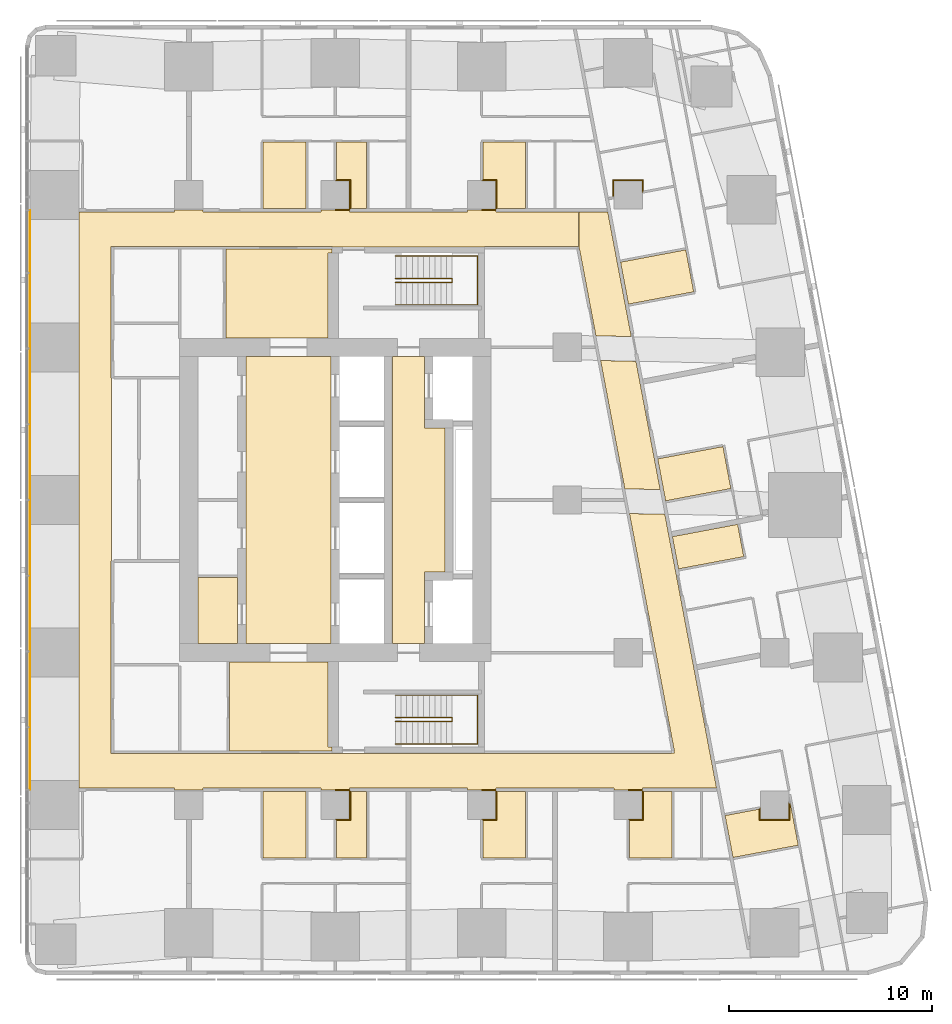
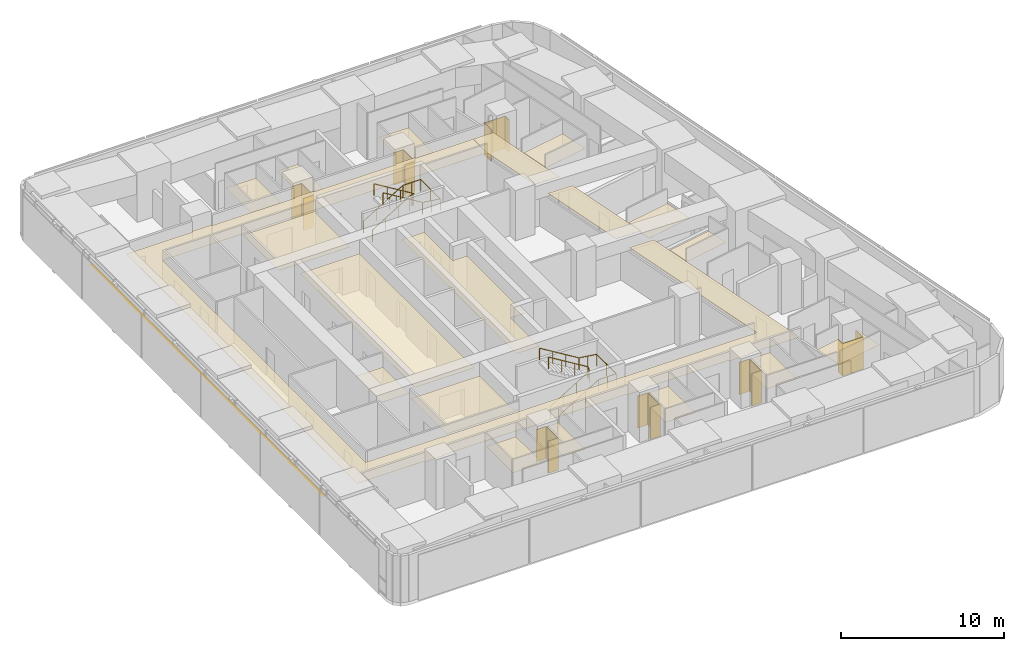
# One storey, part 19 of 19: 27 coverings, 4 railings.
"""IFC4 building model written with IfcOpenShell, lengths in metres."""

from ifc_helpers import new_model, si_unit, direction, frame, origin, origin_2d, place, context, subcontext, project, spatial, polyline, circle, outline, extrude, material, layer, layer_set, type_object, element, save


model = new_model("IFC4")

# Units and contexts
model_context = context("Model", 3, precision=1e-05, world=origin(), true_north=direction((0.0, 1.0)))
body_context = subcontext(model_context, "Body", "Model", "MODEL_VIEW")
ifc_project = project(units=[si_unit("LENGTHUNIT", "METRE"), si_unit("AREAUNIT", "SQUARE_METRE"), si_unit("VOLUMEUNIT", "CUBIC_METRE"), si_unit("PLANEANGLEUNIT", "RADIAN"), si_unit("MASSUNIT", "GRAM", prefix="KILO")], contexts=[model_context])

# Site, building, storey
site_placement = place(None, origin())
site = spatial("IfcSite", under=ifc_project, at=site_placement, CompositionType="ELEMENT")
building_placement = place(site_placement, origin())
building = spatial("IfcBuilding", under=site, at=building_placement, Name="Sheger Commons Tower", CompositionType="ELEMENT")
storey_placement = place(building_placement, frame((0.0, 0.0, 216.199951171875)))
storey = spatial("IfcBuildingStorey", under=building, at=storey_placement, Name="L55", CompositionType="ELEMENT", Elevation=216.199951171875)

# Railings
ifc_material_1 = material(Name="Steel handrail, black powder-coated", Category="steel")
railing_type = type_object("IfcRailingType", Name="HANDRAIL 900", PredefinedType="HANDRAIL", material=ifc_material_1)
railing_1_placement = place(storey_placement, frame((24.550048828125, 11.60009765625, 0.17041015625)))
element("IfcRailing", 1, at=railing_1_placement, inside=storey, type_object=railing_type, Name="Stair S1 handrail L55", PredefinedType="HANDRAIL", context=body_context, shape_type="SweptSolid", body=[
    extrude(circle(Radius=0.02392578125, at=origin_2d()), frame((0.0, 0.0, 0.8759765625), z_axis=(0.854169791009, 0.0, 0.51999420009), x_axis=(0.0, 1.0, 0.0)), (0.0, 0.0, 1.0), 3.278076171875),
    extrude(circle(Radius=0.02392578125, at=origin_2d()), frame((2.800048828125, 0.0, 2.58056640625), z_axis=(0.0, 0.761090297175, 0.648645943136), x_axis=(-1.0, 0.0, 0.0)), (0.0, 0.0, 1.0), 0.2626953125),
    extrude(circle(Radius=0.02392578125, at=origin_2d()), frame((2.800048828125, 0.199951171875, 2.7509765625), z_axis=(-0.854169791009, 0.0, 0.51999420009), x_axis=(0.0, -1.0, 0.0)), (0.0, 0.0, 1.0), 3.278076171875),
    extrude(circle(Radius=0.02099609375, at=origin_2d()), origin(), (0.0, 0.0, 1.0), 0.851806640625),
    extrude(circle(Radius=0.02099609375, at=origin_2d()), frame((0.933349609375, 0.0, 0.568115234375)), (0.0, 0.0, 1.0), 0.851806640625),
    extrude(circle(Radius=0.02099609375, at=origin_2d()), frame((1.86669921875, 0.0, 1.136474609375)), (0.0, 0.0, 1.0), 0.851806640625),
    extrude(circle(Radius=0.02099609375, at=origin_2d()), frame((2.800048828125, 0.0, 1.70458984375)), (0.0, 0.0, 1.0), 0.851806640625),
    extrude(circle(Radius=0.02099609375, at=origin_2d()), frame((2.800048828125, 0.199951171875, 1.875)), (0.0, 0.0, 1.0), 0.851806640625),
    extrude(circle(Radius=0.02099609375, at=origin_2d()), frame((1.86669921875, 0.199951171875, 2.443115234375)), (0.0, 0.0, 1.0), 0.851806640625),
    extrude(circle(Radius=0.02099609375, at=origin_2d()), frame((0.933349609375, 0.199951171875, 3.011474609375)), (0.0, 0.0, 1.0), 0.851806640625),
    extrude(circle(Radius=0.02099609375, at=origin_2d()), frame((0.0, 0.199951171875, 3.57958984375)), (0.0, 0.0, 1.0), 0.851806640625),
])
railing_2_placement = place(storey_placement, frame((24.550048828125, 10.5, 0.17041015625)))
element("IfcRailing", 2, at=railing_2_placement, inside=storey, type_object=railing_type, Name="Stair S1 handrail L55", PredefinedType="HANDRAIL", context=body_context, shape_type="SweptSolid", body=[
    extrude(circle(Radius=0.02392578125, at=origin_2d()), frame((0.0, 0.0, 0.8759765625), z_axis=(0.854169791009, 0.0, 0.51999420009), x_axis=(0.0, 1.0, 0.0)), (0.0, 0.0, 1.0), 3.278076171875),
    extrude(circle(Radius=0.02392578125, at=origin_2d()), frame((2.800048828125, 0.0, 2.58056640625), z_axis=(1.0, 0.0, 0.0), x_axis=(0.0, 1.0, 0.0)), (0.0, 0.0, 1.0), 1.25),
    extrude(circle(Radius=0.02392578125, at=origin_2d()), frame((4.050048828125, 0.0, 2.58056640625), z_axis=(0.0, 1.0, 0.0), x_axis=(-1.0, 0.0, 0.0)), (0.0, 0.0, 1.0), 2.39990234375),
    extrude(circle(Radius=0.02392578125, at=origin_2d()), frame((4.050048828125, 2.39990234375, 2.58056640625), z_axis=(-0.990834877927, 0.0, 0.135078661092), x_axis=(0.0, -1.0, 0.0)), (0.0, 0.0, 1.0), 1.261474609375),
    extrude(circle(Radius=0.02392578125, at=origin_2d()), frame((2.800048828125, 2.39990234375, 2.7509765625), z_axis=(-0.854169791009, 0.0, 0.51999420009), x_axis=(0.0, -1.0, 0.0)), (0.0, 0.0, 1.0), 3.278076171875),
    extrude(circle(Radius=0.02099609375, at=origin_2d()), origin(), (0.0, 0.0, 1.0), 0.851806640625),
    extrude(circle(Radius=0.02099609375, at=origin_2d()), frame((0.933349609375, 0.0, 0.568115234375)), (0.0, 0.0, 1.0), 0.851806640625),
    extrude(circle(Radius=0.02099609375, at=origin_2d()), frame((1.86669921875, 0.0, 1.136474609375)), (0.0, 0.0, 1.0), 0.851806640625),
    extrude(circle(Radius=0.02099609375, at=origin_2d()), frame((2.800048828125, 0.0, 1.70458984375)), (0.0, 0.0, 1.0), 0.851806640625),
    extrude(circle(Radius=0.02099609375, at=origin_2d()), frame((3.425048828125, 0.0, 1.70458984375)), (0.0, 0.0, 1.0), 0.851806640625),
    extrude(circle(Radius=0.02099609375, at=origin_2d()), frame((4.050048828125, 0.0, 1.70458984375)), (0.0, 0.0, 1.0), 0.851806640625),
    extrude(circle(Radius=0.02099609375, at=origin_2d()), frame((4.050048828125, 1.199951171875, 1.70458984375)), (0.0, 0.0, 1.0), 0.851806640625),
    extrude(circle(Radius=0.02099609375, at=origin_2d()), frame((4.050048828125, 2.39990234375, 1.70458984375)), (0.0, 0.0, 1.0), 0.851806640625),
    extrude(circle(Radius=0.02099609375, at=origin_2d()), frame((3.425048828125, 2.39990234375, 1.789794921875)), (0.0, 0.0, 1.0), 0.851806640625),
    extrude(circle(Radius=0.02099609375, at=origin_2d()), frame((2.800048828125, 2.39990234375, 1.875)), (0.0, 0.0, 1.0), 0.851806640625),
    extrude(circle(Radius=0.02099609375, at=origin_2d()), frame((1.86669921875, 2.39990234375, 2.443115234375)), (0.0, 0.0, 1.0), 0.851806640625),
    extrude(circle(Radius=0.02099609375, at=origin_2d()), frame((0.933349609375, 2.39990234375, 3.011474609375)), (0.0, 0.0, 1.0), 0.851806640625),
    extrude(circle(Radius=0.02099609375, at=origin_2d()), frame((0.0, 2.39990234375, 3.57958984375)), (0.0, 0.0, 1.0), 0.851806640625),
])
railing_3_placement = place(storey_placement, frame((24.550048828125, 33.39990234375, 0.17041015625)))
element("IfcRailing", 3, at=railing_3_placement, inside=storey, type_object=railing_type, Name="Stair S2 handrail L55", PredefinedType="HANDRAIL", context=body_context, shape_type="SweptSolid", body=[
    extrude(circle(Radius=0.02392578125, at=origin_2d()), frame((0.0, 0.0, 0.8759765625), z_axis=(0.854169791009, 0.0, 0.51999420009), x_axis=(0.0, 1.0, 0.0)), (0.0, 0.0, 1.0), 3.278076171875),
    extrude(circle(Radius=0.02392578125, at=origin_2d()), frame((2.800048828125, 0.0, 2.58056640625), z_axis=(0.0, -0.761090297175, 0.648645943136), x_axis=(1.0, 0.0, 0.0)), (0.0, 0.0, 1.0), 0.2626953125),
    extrude(circle(Radius=0.02392578125, at=origin_2d()), frame((2.800048828125, -0.199951171875, 2.7509765625), z_axis=(-0.854169791009, 0.0, 0.51999420009), x_axis=(0.0, -1.0, 0.0)), (0.0, 0.0, 1.0), 3.278076171875),
    extrude(circle(Radius=0.02099609375, at=origin_2d()), origin(), (0.0, 0.0, 1.0), 0.851806640625),
    extrude(circle(Radius=0.02099609375, at=origin_2d()), frame((0.933349609375, 0.0, 0.568115234375)), (0.0, 0.0, 1.0), 0.851806640625),
    extrude(circle(Radius=0.02099609375, at=origin_2d()), frame((1.86669921875, 0.0, 1.136474609375)), (0.0, 0.0, 1.0), 0.851806640625),
    extrude(circle(Radius=0.02099609375, at=origin_2d()), frame((2.800048828125, 0.0, 1.70458984375)), (0.0, 0.0, 1.0), 0.851806640625),
    extrude(circle(Radius=0.02099609375, at=origin_2d()), frame((2.800048828125, -0.199951171875, 1.875)), (0.0, 0.0, 1.0), 0.851806640625),
    extrude(circle(Radius=0.02099609375, at=origin_2d()), frame((1.86669921875, -0.199951171875, 2.443115234375)), (0.0, 0.0, 1.0), 0.851806640625),
    extrude(circle(Radius=0.02099609375, at=origin_2d()), frame((0.933349609375, -0.199951171875, 3.011474609375)), (0.0, 0.0, 1.0), 0.851806640625),
    extrude(circle(Radius=0.02099609375, at=origin_2d()), frame((0.0, -0.199951171875, 3.57958984375)), (0.0, 0.0, 1.0), 0.851806640625),
])
railing_4_placement = place(storey_placement, frame((24.550048828125, 34.5, 0.17041015625)))
element("IfcRailing", 4, at=railing_4_placement, inside=storey, type_object=railing_type, Name="Stair S2 handrail L55", PredefinedType="HANDRAIL", context=body_context, shape_type="SweptSolid", body=[
    extrude(circle(Radius=0.02392578125, at=origin_2d()), frame((0.0, 0.0, 0.8759765625), z_axis=(0.854169791009, 0.0, 0.51999420009), x_axis=(0.0, 1.0, 0.0)), (0.0, 0.0, 1.0), 3.278076171875),
    extrude(circle(Radius=0.02392578125, at=origin_2d()), frame((2.800048828125, 0.0, 2.58056640625), z_axis=(1.0, 0.0, 0.0), x_axis=(0.0, 1.0, 0.0)), (0.0, 0.0, 1.0), 1.25),
    extrude(circle(Radius=0.02392578125, at=origin_2d()), frame((4.050048828125, 0.0, 2.58056640625), z_axis=(0.0, -1.0, 0.0), x_axis=(1.0, 0.0, 0.0)), (0.0, 0.0, 1.0), 2.39990234375),
    extrude(circle(Radius=0.02392578125, at=origin_2d()), frame((4.050048828125, -2.39990234375, 2.58056640625), z_axis=(-0.990834877927, 0.0, 0.135078661092), x_axis=(0.0, -1.0, 0.0)), (0.0, 0.0, 1.0), 1.261474609375),
    extrude(circle(Radius=0.02392578125, at=origin_2d()), frame((2.800048828125, -2.39990234375, 2.7509765625), z_axis=(-0.854169791009, 0.0, 0.51999420009), x_axis=(0.0, -1.0, 0.0)), (0.0, 0.0, 1.0), 3.278076171875),
    extrude(circle(Radius=0.02099609375, at=origin_2d()), origin(), (0.0, 0.0, 1.0), 0.851806640625),
    extrude(circle(Radius=0.02099609375, at=origin_2d()), frame((0.933349609375, 0.0, 0.568115234375)), (0.0, 0.0, 1.0), 0.851806640625),
    extrude(circle(Radius=0.02099609375, at=origin_2d()), frame((1.86669921875, 0.0, 1.136474609375)), (0.0, 0.0, 1.0), 0.851806640625),
    extrude(circle(Radius=0.02099609375, at=origin_2d()), frame((2.800048828125, 0.0, 1.70458984375)), (0.0, 0.0, 1.0), 0.851806640625),
    extrude(circle(Radius=0.02099609375, at=origin_2d()), frame((3.425048828125, 0.0, 1.70458984375)), (0.0, 0.0, 1.0), 0.851806640625),
    extrude(circle(Radius=0.02099609375, at=origin_2d()), frame((4.050048828125, 0.0, 1.70458984375)), (0.0, 0.0, 1.0), 0.851806640625),
    extrude(circle(Radius=0.02099609375, at=origin_2d()), frame((4.050048828125, -1.199951171875, 1.70458984375)), (0.0, 0.0, 1.0), 0.851806640625),
    extrude(circle(Radius=0.02099609375, at=origin_2d()), frame((4.050048828125, -2.39990234375, 1.70458984375)), (0.0, 0.0, 1.0), 0.851806640625),
    extrude(circle(Radius=0.02099609375, at=origin_2d()), frame((3.425048828125, -2.39990234375, 1.789794921875)), (0.0, 0.0, 1.0), 0.851806640625),
    extrude(circle(Radius=0.02099609375, at=origin_2d()), frame((2.800048828125, -2.39990234375, 1.875)), (0.0, 0.0, 1.0), 0.851806640625),
    extrude(circle(Radius=0.02099609375, at=origin_2d()), frame((1.86669921875, -2.39990234375, 2.443115234375)), (0.0, 0.0, 1.0), 0.851806640625),
    extrude(circle(Radius=0.02099609375, at=origin_2d()), frame((0.933349609375, -2.39990234375, 3.011474609375)), (0.0, 0.0, 1.0), 0.851806640625),
    extrude(circle(Radius=0.02099609375, at=origin_2d()), frame((0.0, -2.39990234375, 3.57958984375)), (0.0, 0.0, 1.0), 0.851806640625),
])

# Coverings
ifc_material_2 = material(Name="Moisture-resistant gypsum plasterboard 15 mm on a suspended galvanised steel grid", Category="steel")
ifc_layer_1 = layer(ifc_material_2, 0.014892578125)
ifc_layer_set_1 = layer_set([ifc_layer_1], Name="MOISTURE-RESISTANT CEILING 15")
covering_type_1 = type_object("IfcCoveringType", Name="MOISTURE-RESISTANT CEILING 15", PredefinedType="CEILING", material=ifc_layer_set_1)
covering_1_placement = place(storey_placement, frame((0.0, 0.0, 2.400146484375)))
element("IfcCovering", 5, at=covering_1_placement, inside=storey, type_object=covering_type_1, Name="L55-02.B1 ceiling", PredefinedType="CEILING", context=body_context, shape_type="SweptSolid", body=[
    extrude(outline(polyline([(18.054931640625, 4.905029296875), (20.155029296875, 4.905029296875), (20.155029296875, 8.169921875), (18.054931640625, 8.169921875), (18.054931640625, 4.905029296875)])), origin(), (0.0, 0.0, 1.0), 0.014892578125),
])
covering_2_placement = place(storey_placement, frame((0.0, 0.0, 2.400146484375)))
element("IfcCovering", 6, at=covering_2_placement, inside=storey, type_object=covering_type_1, Name="L55-02.B2 ceiling", PredefinedType="CEILING", context=body_context, shape_type="SweptSolid", body=[
    extrude(outline(polyline([(21.655029296875, 4.905029296875), (23.14501953125, 4.905029296875), (23.14501953125, 8.169921875), (22.304931640625, 8.169921875), (22.304931640625, 6.794921875), (21.655029296875, 6.794921875), (21.655029296875, 4.905029296875)])), origin(), (0.0, 0.0, 1.0), 0.014892578125),
])
covering_3_placement = place(storey_placement, frame((0.0, 0.0, 2.400146484375)))
element("IfcCovering", 7, at=covering_3_placement, inside=storey, type_object=covering_type_1, Name="L55-03.B1 ceiling", PredefinedType="CEILING", context=body_context, shape_type="SweptSolid", body=[
    extrude(outline(polyline([(28.85498046875, 4.905029296875), (30.955078125, 4.905029296875), (30.955078125, 8.169921875), (29.5048828125, 8.169921875), (29.5048828125, 6.794921875), (28.85498046875, 6.794921875), (28.85498046875, 4.905029296875)])), origin(), (0.0, 0.0, 1.0), 0.014892578125),
])
covering_4_placement = place(storey_placement, frame((0.0, 0.0, 2.400146484375)))
element("IfcCovering", 8, at=covering_4_placement, inside=storey, type_object=covering_type_1, Name="L55-04.B1 ceiling", PredefinedType="CEILING", context=body_context, shape_type="SweptSolid", body=[
    extrude(outline(polyline([(36.054931640625, 4.905029296875), (38.155029296875, 4.905029296875), (38.155029296875, 8.169921875), (36.705078125, 8.169921875), (36.705078125, 6.794921875), (36.054931640625, 6.794921875), (36.054931640625, 4.905029296875)])), origin(), (0.0, 0.0, 1.0), 0.014892578125),
])
covering_5_placement = place(storey_placement, frame((0.0, 0.0, 2.400146484375)))
element("IfcCovering", 9, at=covering_5_placement, inside=storey, type_object=covering_type_1, Name="L55-05.B1 ceiling", PredefinedType="CEILING", context=body_context, shape_type="SweptSolid", body=[
    extrude(outline(polyline([(36.01708984375, 32.1298828125), (39.22412109375, 32.736083984375), (38.833984375, 34.800048828125), (35.626953125, 34.194091796875), (36.01708984375, 32.1298828125)])), origin(), (0.0, 0.0, 1.0), 0.014892578125),
])
covering_6_placement = place(storey_placement, frame((0.0, 0.0, 2.400146484375)))
element("IfcCovering", 10, at=covering_6_placement, inside=storey, type_object=covering_type_1, Name="L55-06.B1 ceiling", PredefinedType="CEILING", context=body_context, shape_type="SweptSolid", body=[
    extrude(outline(polyline([(37.843017578125, 22.4580078125), (41.052001953125, 23.06396484375), (40.662109375, 25.1279296875), (37.4541015625, 24.52197265625), (37.843017578125, 22.4580078125)])), origin(), (0.0, 0.0, 1.0), 0.014892578125),
])
covering_7_placement = place(storey_placement, frame((0.0, 0.0, 2.400146484375)))
element("IfcCovering", 11, at=covering_7_placement, inside=storey, type_object=covering_type_1, Name="L55-07.B1 ceiling", PredefinedType="CEILING", context=body_context, shape_type="SweptSolid", body=[
    extrude(outline(polyline([(38.47607421875, 19.111083984375), (41.68408203125, 19.716064453125), (41.384033203125, 21.303955078125), (38.176025390625, 20.697998046875), (38.47607421875, 19.111083984375)])), origin(), (0.0, 0.0, 1.0), 0.014892578125),
])
covering_8_placement = place(storey_placement, frame((0.0, 0.0, 2.400146484375)))
element("IfcCovering", 12, at=covering_8_placement, inside=storey, type_object=covering_type_1, Name="L55-08.B1 ceiling", PredefinedType="CEILING", context=body_context, shape_type="SweptSolid", body=[
    extrude(outline(polyline([(41.156005859375, 4.9208984375), (44.364013671875, 5.527099609375), (43.97412109375, 7.591064453125), (43.9150390625, 7.580078125), (43.906982421875, 7.623046875), (43.905029296875, 7.623046875), (43.905029296875, 6.794921875), (42.4951171875, 6.794921875), (42.4951171875, 7.31201171875), (40.76611328125, 6.985107421875), (41.156005859375, 4.9208984375)])), origin(), (0.0, 0.0, 1.0), 0.014892578125),
])
covering_9_placement = place(storey_placement, frame((0.0, 0.0, 2.400146484375)))
element("IfcCovering", 13, at=covering_9_placement, inside=storey, type_object=covering_type_1, Name="L55-10.B1 ceiling", PredefinedType="CEILING", context=body_context, shape_type="SweptSolid", body=[
    extrude(outline(polyline([(18.054931640625, 36.830078125), (20.155029296875, 36.830078125), (20.155029296875, 40.094970703125), (18.054931640625, 40.094970703125), (18.054931640625, 36.830078125)])), origin(), (0.0, 0.0, 1.0), 0.014892578125),
])
covering_10_placement = place(storey_placement, frame((0.0, 0.0, 2.400146484375)))
element("IfcCovering", 14, at=covering_10_placement, inside=storey, type_object=covering_type_1, Name="L55-10.B2 ceiling", PredefinedType="CEILING", context=body_context, shape_type="SweptSolid", body=[
    extrude(outline(polyline([(22.304931640625, 36.830078125), (23.14501953125, 36.830078125), (23.14501953125, 40.094970703125), (21.655029296875, 40.094970703125), (21.655029296875, 38.205078125), (22.304931640625, 38.205078125), (22.304931640625, 36.830078125)])), origin(), (0.0, 0.0, 1.0), 0.014892578125),
])
covering_11_placement = place(storey_placement, frame((0.0, 0.0, 2.400146484375)))
element("IfcCovering", 15, at=covering_11_placement, inside=storey, type_object=covering_type_1, Name="L55-11.B1 ceiling", PredefinedType="CEILING", context=body_context, shape_type="SweptSolid", body=[
    extrude(outline(polyline([(29.5048828125, 36.830078125), (30.955078125, 36.830078125), (30.955078125, 40.094970703125), (28.85498046875, 40.094970703125), (28.85498046875, 38.205078125), (29.5048828125, 38.205078125), (29.5048828125, 36.830078125)])), origin(), (0.0, 0.0, 1.0), 0.014892578125),
])
covering_12_placement = place(storey_placement, frame((0.0, 0.0, 2.400146484375)))
element("IfcCovering", 16, at=covering_12_placement, inside=storey, type_object=covering_type_1, Name="L55-CRB1 ceiling", PredefinedType="CEILING", context=body_context, shape_type="SweptSolid", body=[
    extrude(outline(polyline([(14.85498046875, 15.455078125), (16.794921875, 15.455078125), (16.794921875, 18.68310546875), (14.85498046875, 18.68310546875), (14.85498046875, 15.455078125)])), origin(), (0.0, 0.0, 1.0), 0.014892578125),
])
ifc_material_3 = material(Name="Gypsum plasterboard 15 mm on a suspended steel grid", Category="steel")
ifc_layer_2 = layer(ifc_material_3, 0.014892578125)
ifc_layer_set_2 = layer_set([ifc_layer_2], Name="SUSPENDED CEILING 15")
covering_type_2 = type_object("IfcCoveringType", Name="SUSPENDED CEILING 15", PredefinedType="CEILING", material=ifc_layer_set_2)
covering_13_placement = place(storey_placement, frame((0.0, 0.0, 2.699951171875)))
element("IfcCovering", 17, at=covering_13_placement, inside=storey, type_object=covering_type_2, Name="L55-CO ceiling", PredefinedType="CEILING", context=body_context, shape_type="SweptSolid", body=[
    extrude(outline(polyline([(6.554931640625, 8.25), (6.594970703125, 8.25), (6.594970703125, 36.75), (6.554931640625, 36.75), (6.554931640625, 8.25)])), origin(), (0.0, 0.0, 1.0), 0.01513671875),
])
covering_14_placement = place(storey_placement, frame((0.0, 0.0, 2.699951171875)))
element("IfcCovering", 18, at=covering_14_placement, inside=storey, type_object=covering_type_2, Name="L55-CO ceiling", PredefinedType="CEILING", context=body_context, shape_type="SweptSolid", body=[
    extrude(outline(polyline([(13.7041015625, 8.25), (15.095947265625, 8.25), (15.095947265625, 8.330078125), (20.904052734375, 8.330078125), (20.904052734375, 8.25), (22.2958984375, 8.25), (22.2958984375, 8.330078125), (28.10400390625, 8.330078125), (28.10400390625, 8.25), (29.49609375, 8.25), (29.49609375, 8.330078125), (35.303955078125, 8.330078125), (35.303955078125, 8.25), (36.696044921875, 8.25), (36.696044921875, 8.330078125), (40.34912109375, 8.330078125), (37.804931640625, 21.798095703125), (36.06591796875, 21.8330078125), (38.26904296875, 10.1708984375), (38.251953125, 10.1669921875), (38.27392578125, 10.050048828125), (38.14306640625, 10.050048828125), (38.14306640625, 10.031982421875), (28.945068359375, 10.031982421875), (28.945068359375, 10.044921875), (21.455078125, 10.044921875), (21.455078125, 10.031982421875), (10.7080078125, 10.031982421875), (10.7080078125, 10.044921875), (10.58203125, 10.044921875), (10.58203125, 19.5048828125), (10.60009765625, 19.5048828125), (10.60009765625, 28.4951171875), (10.58203125, 28.4951171875), (10.58203125, 34.955078125), (10.7080078125, 34.955078125), (10.7080078125, 34.968017578125), (21.455078125, 34.968017578125), (21.455078125, 34.949951171875), (28.945068359375, 34.949951171875), (28.945068359375, 34.968017578125), (33.54296875, 34.968017578125), (33.54296875, 34.949951171875), (33.568115234375, 34.949951171875), (33.568115234375, 36.669921875), (29.49609375, 36.669921875), (29.49609375, 36.75), (28.10400390625, 36.75), (28.10400390625, 36.669921875), (22.2958984375, 36.669921875), (22.2958984375, 36.75), (20.904052734375, 36.75), (20.904052734375, 36.669921875), (15.095947265625, 36.669921875), (15.095947265625, 36.75), (13.7041015625, 36.75), (13.7041015625, 36.669921875), (9.0048828125, 36.669921875), (9.0048828125, 8.330078125), (13.7041015625, 8.330078125), (13.7041015625, 8.25)])), origin(), (0.0, 0.0, 1.0), 0.01513671875),
])
covering_15_placement = place(storey_placement, frame((0.0, 0.0, 2.699951171875)))
element("IfcCovering", 19, at=covering_15_placement, inside=storey, type_object=covering_type_2, Name="L55-CO ceiling", PredefinedType="CEILING", context=body_context, shape_type="SweptSolid", body=[
    extrude(outline(polyline([(37.575927734375, 23.011962890625), (36.385009765625, 29.318115234375), (34.64501953125, 29.35791015625), (35.8369140625, 23.048095703125), (37.575927734375, 23.011962890625)])), origin(), (0.0, 0.0, 1.0), 0.01513671875),
])
covering_16_placement = place(storey_placement, frame((0.0, 0.0, 2.699951171875)))
element("IfcCovering", 20, at=covering_16_placement, inside=storey, type_object=covering_type_2, Name="L55-CO ceiling", PredefinedType="CEILING", context=body_context, shape_type="SweptSolid", body=[
    extrude(outline(polyline([(36.155029296875, 30.533935546875), (34.98095703125, 36.75), (34.97705078125, 36.75), (34.97705078125, 36.669921875), (33.572998046875, 36.669921875), (33.572998046875, 34.947998046875), (33.571044921875, 34.947998046875), (33.589111328125, 34.85205078125), (33.60595703125, 34.85498046875), (34.4150390625, 30.572998046875), (36.155029296875, 30.533935546875)])), origin(), (0.0, 0.0, 1.0), 0.01513671875),
])
covering_17_placement = place(storey_placement, frame((0.0, 0.0, 2.699951171875)))
element("IfcCovering", 21, at=covering_17_placement, inside=storey, type_object=covering_type_2, Name="L55-SVS1 ceiling", PredefinedType="CEILING", context=body_context, shape_type="SweptSolid", body=[
    extrude(outline(polyline([(16.406982421875, 10.16796875), (21.445068359375, 10.16796875), (21.445068359375, 10.344970703125), (21.2451171875, 10.344970703125), (21.2451171875, 14.544921875), (16.406982421875, 14.544921875), (16.406982421875, 10.16796875)])), origin(), (0.0, 0.0, 1.0), 0.01513671875),
])
covering_18_placement = place(storey_placement, frame((0.0, 0.0, 2.699951171875)))
element("IfcCovering", 22, at=covering_18_placement, inside=storey, type_object=covering_type_2, Name="L55-SVN1 ceiling", PredefinedType="CEILING", context=body_context, shape_type="SweptSolid", body=[
    extrude(outline(polyline([(16.217041015625, 30.455078125), (21.2451171875, 30.455078125), (21.2451171875, 34.655029296875), (21.445068359375, 34.655029296875), (21.445068359375, 34.83203125), (16.217041015625, 34.83203125), (16.217041015625, 30.455078125)])), origin(), (0.0, 0.0, 1.0), 0.01513671875),
])
covering_19_placement = place(storey_placement, frame((0.0, 0.0, 2.699951171875)))
element("IfcCovering", 23, at=covering_19_placement, inside=storey, type_object=covering_type_2, Name="L55-LL ceiling", PredefinedType="CEILING", context=body_context, shape_type="SweptSolid", body=[
    extrude(outline(polyline([(17.205078125, 15.455078125), (21.39990234375, 15.455078125), (21.39990234375, 29.544921875), (17.205078125, 29.544921875), (17.205078125, 15.455078125)])), origin(), (0.0, 0.0, 1.0), 0.01513671875),
])
covering_20_placement = place(storey_placement, frame((0.0, 0.0, 2.699951171875)))
element("IfcCovering", 24, at=covering_20_placement, inside=storey, type_object=covering_type_2, Name="L55-FL ceiling", PredefinedType="CEILING", context=body_context, shape_type="SweptSolid", body=[
    extrude(outline(polyline([(24.405029296875, 15.455078125), (25.9951171875, 15.455078125), (25.9951171875, 18.955078125), (26.9951171875, 18.955078125), (26.9951171875, 26.044921875), (25.9951171875, 26.044921875), (25.9951171875, 29.544921875), (24.405029296875, 29.544921875), (24.405029296875, 15.455078125)])), origin(), (0.0, 0.0, 1.0), 0.01513671875),
])
ifc_material_4 = material(Name="Moisture-resistant gypsum board 12.5 mm on 25 mm treated timber battens, tanked and tiled", Category="wood")
ifc_layer_3 = layer(ifc_material_4, 0.050048828125)
ifc_layer_set_3 = layer_set([ifc_layer_3], Name="WET-ROOM COLUMN LINING")
covering_type_3 = type_object("IfcCoveringType", Name="WET-ROOM COLUMN LINING", PredefinedType="CLADDING", material=ifc_layer_set_3)
covering_21_placement = place(storey_placement, origin())
element("IfcCovering", 25, at=covering_21_placement, inside=storey, type_object=covering_type_3, Name="Shower room column lining C11 L55", PredefinedType="CLADDING", context=body_context, shape_type="SweptSolid", body=[
    extrude(outline(polyline([(22.35009765625, 6.75), (21.64990234375, 6.75), (21.64990234375, 6.799072265625), (21.60009765625, 6.799072265625), (21.60009765625, 6.800048828125), (22.300048828125, 6.800048828125), (22.300048828125, 8.199951171875), (21.60009765625, 8.199951171875), (21.60009765625, 8.25), (22.301025390625, 8.25), (22.301025390625, 8.175048828125), (22.35009765625, 8.175048828125), (22.35009765625, 6.75)])), origin(), (0.0, 0.0, 1.0), 2.400146484375),
])
covering_22_placement = place(storey_placement, origin())
element("IfcCovering", 26, at=covering_22_placement, inside=storey, type_object=covering_type_3, Name="Bathroom column lining C11 L55", PredefinedType="CLADDING", context=body_context, shape_type="SweptSolid", body=[
    extrude(outline(polyline([(29.550048828125, 6.75), (28.85009765625, 6.75), (28.85009765625, 6.799072265625), (28.800048828125, 6.799072265625), (28.800048828125, 6.800048828125), (29.5, 6.800048828125), (29.5, 8.199951171875), (28.800048828125, 8.199951171875), (28.800048828125, 8.25), (29.5009765625, 8.25), (29.5009765625, 8.175048828125), (29.550048828125, 8.175048828125), (29.550048828125, 6.75)])), origin(), (0.0, 0.0, 1.0), 2.400146484375),
])
covering_23_placement = place(storey_placement, origin())
element("IfcCovering", 27, at=covering_23_placement, inside=storey, type_object=covering_type_3, Name="Bathroom column lining C11 L55", PredefinedType="CLADDING", context=body_context, shape_type="SweptSolid", body=[
    extrude(outline(polyline([(36.75, 6.75), (36.050048828125, 6.75), (36.050048828125, 6.799072265625), (36.0, 6.799072265625), (36.0, 6.800048828125), (36.699951171875, 6.800048828125), (36.699951171875, 8.199951171875), (36.0, 8.199951171875), (36.0, 8.25), (36.700927734375, 8.25), (36.700927734375, 8.175048828125), (36.75, 8.175048828125), (36.75, 6.75)])), origin(), (0.0, 0.0, 1.0), 2.400146484375),
])
covering_24_placement = place(storey_placement, origin())
element("IfcCovering", 28, at=covering_24_placement, inside=storey, type_object=covering_type_3, Name="Bathroom column lining C11 L55", PredefinedType="CLADDING", context=body_context, shape_type="SweptSolid", body=[
    extrude(outline(polyline([(42.5, 7.367919921875), (42.5, 6.800048828125), (43.89990234375, 6.800048828125), (43.89990234375, 7.633056640625), (43.909912109375, 7.635009765625), (43.9189453125, 7.5859375), (43.949951171875, 7.592041015625), (43.949951171875, 6.75), (42.449951171875, 6.75), (42.449951171875, 7.30908203125), (42.4990234375, 7.318115234375), (42.489990234375, 7.365966796875), (42.5, 7.367919921875)])), origin(), (0.0, 0.0, 1.0), 2.400146484375),
])
covering_25_placement = place(storey_placement, origin())
element("IfcCovering", 29, at=covering_25_placement, inside=storey, type_object=covering_type_3, Name="Shower room column lining C11 L55", PredefinedType="CLADDING", context=body_context, shape_type="SweptSolid", body=[
    extrude(outline(polyline([(22.35009765625, 36.824951171875), (22.301025390625, 36.824951171875), (22.301025390625, 36.75), (21.60009765625, 36.75), (21.60009765625, 36.800048828125), (22.300048828125, 36.800048828125), (22.300048828125, 38.199951171875), (21.60009765625, 38.199951171875), (21.60009765625, 38.200927734375), (21.64990234375, 38.200927734375), (21.64990234375, 38.25), (22.35009765625, 38.25), (22.35009765625, 36.824951171875)])), origin(), (0.0, 0.0, 1.0), 2.400146484375),
])
covering_26_placement = place(storey_placement, origin())
element("IfcCovering", 30, at=covering_26_placement, inside=storey, type_object=covering_type_3, Name="Bathroom column lining C11 L55", PredefinedType="CLADDING", context=body_context, shape_type="SweptSolid", body=[
    extrude(outline(polyline([(29.550048828125, 36.824951171875), (29.5009765625, 36.824951171875), (29.5009765625, 36.75), (28.800048828125, 36.75), (28.800048828125, 36.800048828125), (29.5, 36.800048828125), (29.5, 38.199951171875), (28.800048828125, 38.199951171875), (28.800048828125, 38.200927734375), (28.85009765625, 38.200927734375), (28.85009765625, 38.25), (29.550048828125, 38.25), (29.550048828125, 36.824951171875)])), origin(), (0.0, 0.0, 1.0), 2.400146484375),
])
covering_27_placement = place(storey_placement, origin())
element("IfcCovering", 31, at=covering_27_placement, inside=storey, type_object=covering_type_3, Name="Laundry room column lining C11 L55", PredefinedType="CLADDING", context=body_context, shape_type="SweptSolid", body=[
    extrude(outline(polyline([(36.75, 38.25), (36.75, 37.69189453125), (36.700927734375, 37.68310546875), (36.7099609375, 37.635009765625), (36.699951171875, 37.633056640625), (36.699951171875, 38.199951171875), (35.300048828125, 38.199951171875), (35.300048828125, 37.367919921875), (35.2900390625, 37.365966796875), (35.281005859375, 37.4150390625), (35.25, 37.408935546875), (35.25, 38.25), (36.75, 38.25)])), origin(), (0.0, 0.0, 1.0), 2.400146484375),
])

save(model, "model.ifc")
